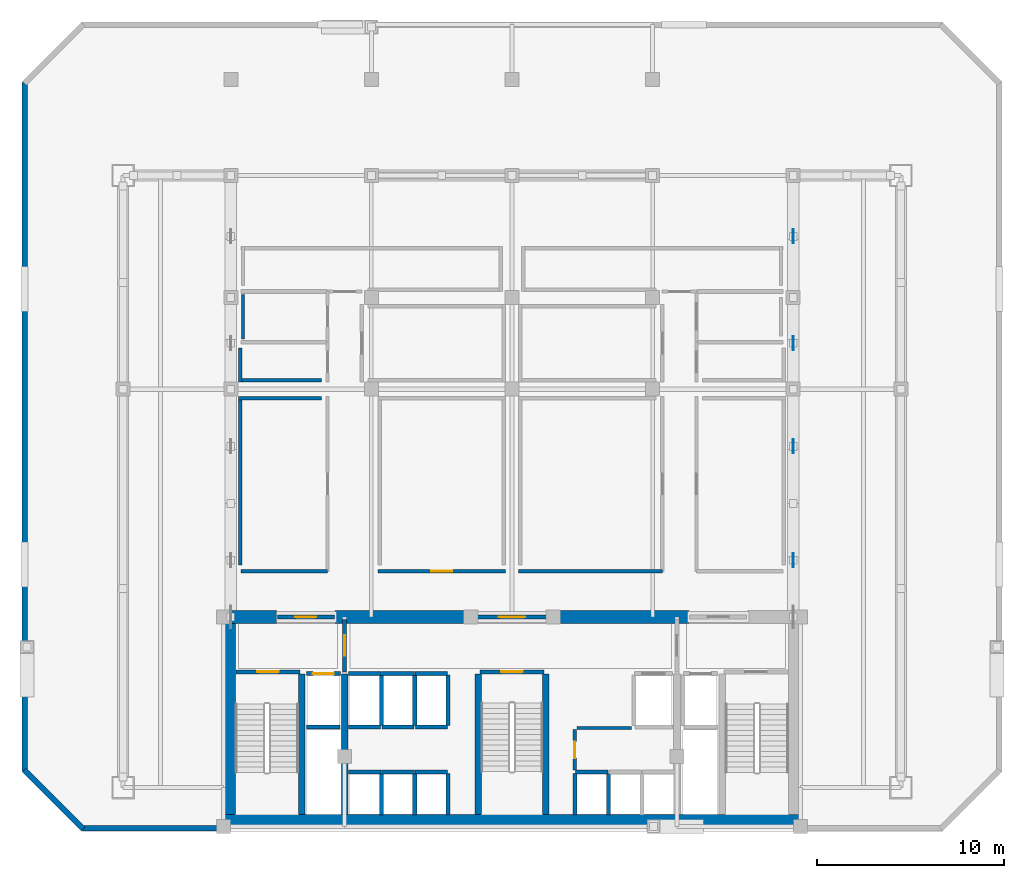
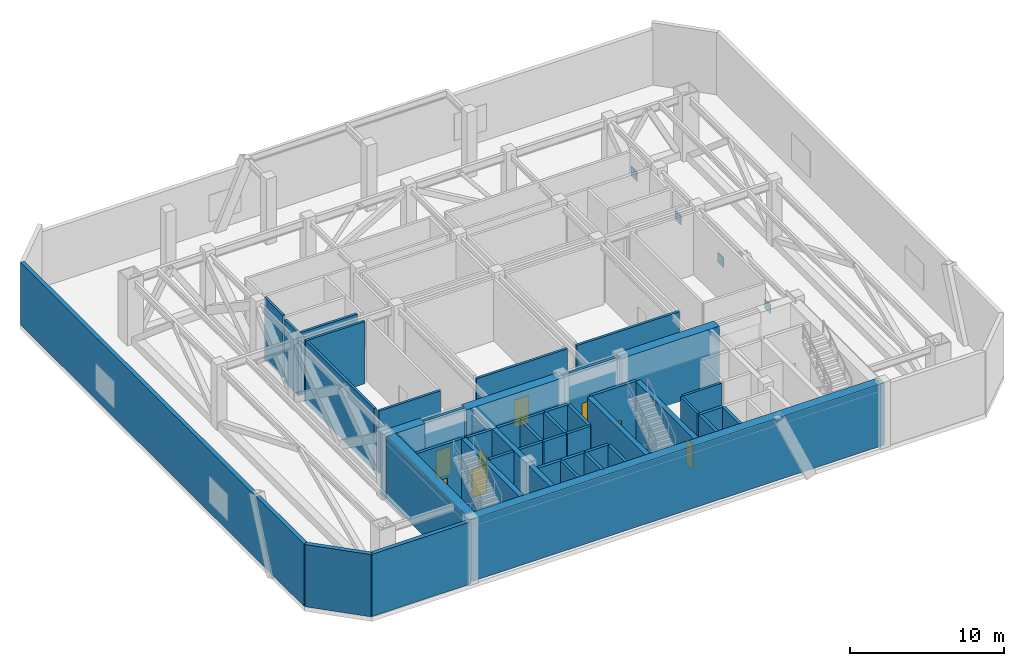
# One storey, part 5 of 10: 47 walls, 8 doors, 4 plates, 8 openings.
"""IFC4 building model written with IfcOpenShell, lengths in metres."""

from ifc_helpers import new_model, si_unit, direction, frame, frame_2d, origin, origin_2d, place, context, subcontext, project, spatial, rectangle, extrude, material, layer, layer_set, type_object, element, fill, save


model = new_model("IFC4")

# Units and contexts
model_context = context("Model", 3, precision=1e-05, world=origin(), true_north=direction((0.0, 1.0)))
body_context = subcontext(model_context, "Body", "Model", "MODEL_VIEW")
ifc_project = project(units=[si_unit("LENGTHUNIT", "METRE"), si_unit("AREAUNIT", "SQUARE_METRE"), si_unit("VOLUMEUNIT", "CUBIC_METRE"), si_unit("PLANEANGLEUNIT", "RADIAN"), si_unit("MASSUNIT", "GRAM", prefix="KILO")], contexts=[model_context])

# Site, building, storey
site_placement = place(None, origin())
site = spatial("IfcSite", under=ifc_project, at=site_placement, CompositionType="ELEMENT")
building_placement = place(site_placement, origin())
building = spatial("IfcBuilding", under=site, at=building_placement, Name="Ventersveld Concourse Tower", CompositionType="ELEMENT")
storey_placement = place(building_placement, frame((0.0, 0.0, 134.949951171875)))
storey = spatial("IfcBuildingStorey", under=building, at=storey_placement, Name="L33", CompositionType="ELEMENT", Elevation=134.949951171875)

# Plates
ifc_material_1 = material(Name="Structural steel S355J2", Category="steel")
ifc_layer_1 = layer(ifc_material_1, 0.0400390625)
ifc_layer_set_1 = layer_set([ifc_layer_1], Name="Structural steel S355J2")
plate_type = type_object("IfcPlateType", Name="PL-GUSSET-40", PredefinedType="USERDEFINED", material=ifc_layer_set_1)
for number, where, z_axis, x_axis, name in (
    (1, (43.75, 14.47509765625, 2.110107421875), (0.0, 0.0, 1.0), (1.0, 0.0, 0.0), "L33 Outrigger X-Crossing Gusset Plate E-1"),
    (2, (43.75, 20.550048828125, 2.110107421875), (0.0, 0.0, 1.0), (1.0, 0.0, 0.0), "L33 Outrigger X-Crossing Gusset Plate E-2"),
    (3, (43.75, 26.050048828125, 2.110107421875), (0.0, 0.0, 1.0), (1.0, 0.0, 0.0), "L33 Outrigger X-Crossing Gusset Plate E-3"),
    (4, (43.75, 31.75, 2.110107421875), (0.0, 0.0, 1.0), (1.0, 0.0, 0.0), "L33 Outrigger X-Crossing Gusset Plate E-4"),
):
    element("IfcPlate", number, at=place(storey_placement, frame(where, z_axis=z_axis, x_axis=x_axis)), inside=storey, type_object=plate_type, Name=name, ObjectType="GUSSET_PLATE", PredefinedType="USERDEFINED", context=body_context, shape_type="SweptSolid", body=[
        extrude(rectangle(XDim=0.0400390625, YDim=0.75, at=origin_2d()), origin(), (0.0, 0.0, 1.0), 0.75),
    ])

# Walls
ifc_material_2 = material(Name="Concrete C60/75", Category="concrete")
ifc_layer_2 = layer(ifc_material_2, 0.35009765625)
ifc_layer_set_2 = layer_set([ifc_layer_2], Name="Concrete C60/75")
wall_type_1 = type_object("IfcWallType", Name="WL-CORE-350L", PredefinedType="SHEAR", material=ifc_layer_set_2)
for number, where, z_axis, x_axis, name in (
    (5, (17.5400390625, 0.919921875, 0.0), (0.0, 0.0, 1.0), (0.0, 1.0, 0.0), "L33 Core Internal Shear Web W-ST1-E"),
    (6, (19.820068359375, 0.919921875, 0.0), (0.0, 0.0, 1.0), (0.0, 1.0, 0.0), "L33 Core Internal Shear Web W-FF1-E"),
    (7, (26.93994140625, 0.919921875, 0.0), (0.0, 0.0, 1.0), (0.0, 1.0, 0.0), "L33 Core Internal Shear Web W-ST3-W"),
    (8, (30.56005859375, 0.919921875, 0.0), (0.0, 0.0, 1.0), (0.0, 1.0, 0.0), "L33 Core Internal Shear Web W-ST3-E"),
):
    element("IfcWall", number, at=place(storey_placement, frame(where, z_axis=z_axis, x_axis=x_axis)), inside=storey, type_object=wall_type_1, Name=name, PredefinedType="SHEAR", context=body_context, shape_type="SweptSolid", body=[
        extrude(rectangle(XDim=7.5, YDim=0.35009765625, at=frame_2d((3.75, 0.0))), origin(), (0.0, 0.0, 1.0), 4.920166015625),
    ])
ifc_layer_3 = layer(ifc_material_2, 0.699951171875)
ifc_layer_set_3 = layer_set([ifc_layer_3], Name="Concrete C60/75")
wall_type_2 = type_object("IfcWallType", Name="WL-CORE-700", PredefinedType="SHEAR", material=ifc_layer_set_3)
wall_1_placement = place(storey_placement, frame((13.25, 0.570068359375, 0.0), z_axis=(0.0, 0.0, 1.0), x_axis=(1.0, 0.0, 0.0)))
element("IfcWall", 9, at=wall_1_placement, inside=storey, type_object=wall_type_2, Name="L33 Rear Core South Shear Wall", PredefinedType="SHEAR", context=body_context, shape_type="SweptSolid", body=[
    extrude(rectangle(XDim=31.0, YDim=0.699951171875, at=frame_2d((15.5, 0.0))), origin(), (0.0, 0.0, 1.0), 4.920166015625),
])
wall_2_placement = place(storey_placement, frame((13.64990234375, 0.919921875, 0.0), z_axis=(0.0, 0.0, 1.0), x_axis=(0.0, 1.0, 0.0)))
element("IfcWall", 10, at=wall_2_placement, inside=storey, type_object=wall_type_2, Name="L33 Rear Core West Shear Wall", PredefinedType="SHEAR", context=body_context, shape_type="SweptSolid", body=[
    extrude(rectangle(XDim=10.530029296875, YDim=0.699951171875, at=frame_2d((5.26513671875, 0.0))), origin(), (0.0, 0.0, 1.0), 4.920166015625),
])
wall_3_placement = place(storey_placement, frame((13.25, 11.449951171875, 0.0), z_axis=(0.0, 0.0, 1.0), x_axis=(1.0, 0.0, 0.0)))
element("IfcWall", 11, at=wall_3_placement, inside=storey, type_object=wall_type_2, Name="L33 Rear Core North Shear Wall NW", PredefinedType="SHEAR", context=body_context, shape_type="SweptSolid", body=[
    extrude(rectangle(XDim=2.949951171875, YDim=0.699951171875, at=frame_2d((1.47509765625, 0.0))), origin(), (0.0, 0.0, 1.0), 4.920166015625),
])
for number, where, z_axis, x_axis, name in (
    (12, (19.300048828125, 11.449951171875, 0.0), (0.0, 0.0, 1.0), (1.0, 0.0, 0.0), "L33 Rear Core North Shear Wall NML"),
    (13, (30.89990234375, 11.449951171875, 0.0), (0.0, 0.0, 1.0), (1.0, 0.0, 0.0), "L33 Rear Core North Shear Wall NMR"),
):
    element("IfcWall", number, at=place(storey_placement, frame(where, z_axis=z_axis, x_axis=x_axis)), inside=storey, type_object=wall_type_2, Name=name, PredefinedType="SHEAR", context=body_context, shape_type="SweptSolid", body=[
        extrude(rectangle(XDim=7.300048828125, YDim=0.699951171875, at=frame_2d((3.64990234375, 0.0))), origin(), (0.0, 0.0, 1.0), 4.920166015625),
    ])

# Wall, opening, door
ifc_material_3 = material(Name="Fire-rated autoclaved aerated masonry blockwork", Category="masonry")
ifc_layer_4 = layer(ifc_material_3, 0.179931640625)
ifc_layer_set_4 = layer_set([ifc_layer_4], Name="Fire-rated autoclaved aerated masonry blockwork")
wall_type_3 = type_object("IfcWallType", Name="WL-CORR-180", PredefinedType="PARTITIONING", material=ifc_layer_set_4)
wall_4_placement = place(storey_placement, frame((32.10009765625, 3.280029296875, 0.0), z_axis=(0.0, 0.0, 1.0), x_axis=(0.0, 1.0, 0.0)))
wall_4 = element("IfcWall", 14, at=wall_4_placement, inside=storey, type_object=wall_type_3, Name="L33 Core Passage Wall SP-L33-CBAY2", PredefinedType="PARTITIONING", context=body_context, shape_type="SweptSolid", body=[
    extrude(rectangle(XDim=2.169921875, YDim=0.179931640625, at=frame_2d((1.0849609375, 0.0))), origin(), (0.0, 0.0, 1.0), 4.920166015625),
])
opening_1_placement = place(wall_4_placement, frame((0.64501953125, 0.0, 0.0)))
opening_1 = element("IfcOpeningElement", 15, at=opening_1_placement, cuts=wall_4, Name="Opening FD5", PredefinedType="OPENING", context=body_context, shape_type="SweptSolid", body=[
    extrude(rectangle(XDim=0.8798828125, YDim=2.050048828125, at=frame_2d((0.43994140625, 1.02490234375))), frame((0.0, 0.10009765625, 0.0), z_axis=(0.0, -1.0, 0.0), x_axis=(1.0, 0.0, 0.0)), (0.0, 0.0, 1.0), 0.199951171875),
])
ifc_material_4 = material(Name="Galvanised painted steel", Category="steel")
door_type_1 = type_object("IfcDoorType", Name="DR-RISER-088", OperationType="NOTDEFINED", PredefinedType="DOOR", material=ifc_material_4)
door_1_placement = place(opening_1_placement, origin())
door_1 = element("IfcDoor", 16, at=door_1_placement, inside=storey, type_object=door_type_1, Name="L33 Core Room Door L33 Core Parcel and Mail Store (CD-L33-1642)", OperationType="SINGLE_SWING_LEFT", OverallHeight=2.050048828125, OverallWidth=0.8798828125, PredefinedType="DOOR", context=body_context, shape_type="SweptSolid", body=[
    extrude(rectangle(XDim=0.8798828125, YDim=2.050048828125, at=frame_2d((0.43994140625, 1.02490234375))), frame((0.0, 0.02490234375, 0.0), z_axis=(0.0, -1.0, 0.0), x_axis=(1.0, 0.0, 0.0)), (0.0, 0.0, 1.0), 0.050048828125),
])
fill(opening_1, door_1)

# Walls
wall_5_placement = place(storey_placement, frame((32.219970703125, 5.530029296875, 0.0), z_axis=(0.0, 0.0, 1.0), x_axis=(1.0, 0.0, 0.0)))
element("IfcWall", 17, at=wall_5_placement, inside=storey, type_object=wall_type_3, Name="L33 Core Top Wall SP-L33-CBAY2", PredefinedType="PARTITIONING", context=body_context, shape_type="SweptSolid", body=[
    extrude(rectangle(XDim=2.900146484375, YDim=0.179931640625, at=frame_2d((1.4501953125, 0.0))), origin(), (0.0, 0.0, 1.0), 4.920166015625),
])
wall_6_placement = place(storey_placement, frame((14.304931640625, 13.889892578125, 0.0), z_axis=(0.0, 0.0, 1.0), x_axis=(1.0, 0.0, 0.0)))
element("IfcWall", 18, at=wall_6_placement, inside=storey, type_object=wall_type_3, Name="L33 Interior Partition SP-L33-PCOR-SP-L33-REF-1", PredefinedType="PARTITIONING", context=body_context, shape_type="SweptSolid", body=[
    extrude(rectangle(XDim=4.610107421875, YDim=0.179931640625, at=frame_2d((2.30517578125, 0.0))), origin(), (0.0, 0.0, 1.0), 4.920166015625),
])

# Wall, opening, door
wall_7_placement = place(storey_placement, frame((21.60498046875, 13.889892578125, 0.0), z_axis=(0.0, 0.0, 1.0), x_axis=(1.0, 0.0, 0.0)))
wall_7 = element("IfcWall", 19, at=wall_7_placement, inside=storey, type_object=wall_type_3, Name="L33 Interior Partition SP-L33-PCOR-SP-L33-REF-2", PredefinedType="PARTITIONING", context=body_context, shape_type="SweptSolid", body=[
    extrude(rectangle(XDim=6.7900390625, YDim=0.179931640625, at=frame_2d((3.39501953125, 0.0))), origin(), (0.0, 0.0, 1.0), 4.920166015625),
])
opening_2_placement = place(wall_7_placement, frame((2.844970703125, 0.0, 0.0)))
opening_2 = element("IfcOpeningElement", 20, at=opening_2_placement, cuts=wall_7, Name="Opening FD2", PredefinedType="OPENING", context=body_context, shape_type="SweptSolid", body=[
    extrude(rectangle(XDim=1.10009765625, YDim=2.199951171875, at=frame_2d((0.550048828125, 1.10009765625))), frame((0.0, 0.10009765625, 0.0), z_axis=(0.0, -1.0, 0.0), x_axis=(1.0, 0.0, 0.0)), (0.0, 0.0, 1.0), 0.199951171875),
])
door_type_2 = type_object("IfcDoorType", Name="DR-FFL-110", OperationType="NOTDEFINED", PredefinedType="DOOR", material=ifc_material_4)
door_2_placement = place(opening_2_placement, origin())
door_2 = element("IfcDoor", 21, at=door_2_placement, inside=storey, type_object=door_type_2, Name="L33 Interior Door SP-L33-PCOR to SP-L33-REF-2 (FD-L33-1644)", OperationType="SINGLE_SWING_RIGHT", OverallHeight=2.199951171875, OverallWidth=1.10009765625, PredefinedType="DOOR", context=body_context, shape_type="SweptSolid", body=[
    extrude(rectangle(XDim=1.10009765625, YDim=2.199951171875, at=frame_2d((0.550048828125, 1.10009765625))), frame((0.0, 0.02490234375, 0.0), z_axis=(0.0, -1.0, 0.0), x_axis=(1.0, 0.0, 0.0)), (0.0, 0.0, 1.0), 0.050048828125),
])
fill(opening_2, door_2)

# Walls
wall_8_placement = place(storey_placement, frame((29.10498046875, 13.889892578125, 0.0), z_axis=(0.0, 0.0, 1.0), x_axis=(1.0, 0.0, 0.0)))
element("IfcWall", 22, at=wall_8_placement, inside=storey, type_object=wall_type_3, Name="L33 Interior Partition SP-L33-PCOR-SP-L33-REF-3", PredefinedType="PARTITIONING", context=body_context, shape_type="SweptSolid", body=[
    extrude(rectangle(XDim=7.659912109375, YDim=0.179931640625, at=frame_2d((3.830078125, 0.0))), origin(), (0.0, 0.0, 1.0), 4.920166015625),
])
wall_9_placement = place(storey_placement, frame((18.5849609375, 23.1201171875, 0.0), z_axis=(0.0, 0.0, 1.0), x_axis=(-1.0, 0.0, 0.0)))
element("IfcWall", 23, at=wall_9_placement, inside=storey, type_object=wall_type_3, Name="L33 Room Enclosure Wall SP-L33-REF-1", PredefinedType="PARTITIONING", context=body_context, shape_type="SweptSolid", body=[
    extrude(rectangle(XDim=4.429931640625, YDim=0.179931640625, at=frame_2d((2.21484375, 0.0))), origin(), (0.0, 0.0, 1.0), 4.920166015625),
])
wall_10_placement = place(storey_placement, frame((14.25, 23.215087890625, 0.0), z_axis=(0.0, 0.0, 1.0), x_axis=(0.0, -1.0, 0.0)))
element("IfcWall", 24, at=wall_10_placement, inside=storey, type_object=wall_type_3, Name="L33 Room Enclosure Wall SP-L33-REF-1", PredefinedType="PARTITIONING", context=body_context, shape_type="SweptSolid", body=[
    extrude(rectangle(XDim=9.004150390625, YDim=0.179931640625, at=frame_2d((4.501953125, 0.0))), origin(), (0.0, 0.0, 1.0), 4.920166015625),
])
wall_11_placement = place(storey_placement, frame((14.155029296875, 24.080078125, 0.0), z_axis=(0.0, 0.0, 1.0), x_axis=(1.0, 0.0, 0.0)))
element("IfcWall", 25, at=wall_11_placement, inside=storey, type_object=wall_type_3, Name="L33 Room Enclosure Wall SP-L33-REF-9", PredefinedType="PARTITIONING", context=body_context, shape_type="SweptSolid", body=[
    extrude(rectangle(XDim=4.429931640625, YDim=0.179931640625, at=frame_2d((2.21484375, 0.0))), origin(), (0.0, 0.0, 1.0), 4.920166015625),
])
wall_12_placement = place(storey_placement, frame((14.25, 25.7890625, 0.0), z_axis=(0.0, 0.0, 1.0), x_axis=(0.0, -1.0, 0.0)))
element("IfcWall", 26, at=wall_12_placement, inside=storey, type_object=wall_type_3, Name="L33 Room Enclosure Wall SP-L33-REF-9", PredefinedType="PARTITIONING", context=body_context, shape_type="SweptSolid", body=[
    extrude(rectangle(XDim=1.803955078125, YDim=0.179931640625, at=frame_2d((0.90185546875, 0.0))), origin(), (0.0, 0.0, 1.0), 4.920166015625),
])
ifc_layer_5 = layer(ifc_material_3, 0.219970703125)
ifc_layer_set_5 = layer_set([ifc_layer_5], Name="Fire-rated autoclaved aerated masonry blockwork")
wall_type_4 = type_object("IfcWallType", Name="WL-HOIST-220", PredefinedType="SOLIDWALL", material=ifc_layer_set_5)
wall_13_placement = place(storey_placement, frame((17.800048828125, 5.590087890625, 0.0), z_axis=(0.0, 0.0, 1.0), x_axis=(1.0, 0.0, 0.0)))
element("IfcWall", 27, at=wall_13_placement, inside=storey, type_object=wall_type_4, Name="L33 Lift Hoistway Back Wall FFL-01", PredefinedType="SOLIDWALL", context=body_context, shape_type="SweptSolid", body=[
    extrude(rectangle(XDim=1.780029296875, YDim=0.219970703125, at=frame_2d((0.89013671875, 0.0))), origin(), (0.0, 0.0, 1.0), 4.920166015625),
])

# Wall, opening, door
wall_14_placement = place(storey_placement, frame((17.780029296875, 8.429931640625, 0.0), z_axis=(0.0, 0.0, 1.0), x_axis=(1.0, 0.0, 0.0)))
wall_14 = element("IfcWall", 28, at=wall_14_placement, inside=storey, type_object=wall_type_4, Name="L33 Lift Hoistway Front Wall FFL-01", PredefinedType="SOLIDWALL", context=body_context, shape_type="SweptSolid", body=[
    extrude(rectangle(XDim=1.820068359375, YDim=0.219970703125, at=frame_2d((0.91015625, 0.0))), origin(), (0.0, 0.0, 1.0), 4.920166015625),
])
opening_3_placement = place(wall_14_placement, frame((0.35009765625, 0.0, 0.0)))
opening_3 = element("IfcOpeningElement", 29, at=opening_3_placement, cuts=wall_14, Name="Opening LD1", PredefinedType="OPENING", context=body_context, shape_type="SweptSolid", body=[
    extrude(rectangle(XDim=1.1201171875, YDim=2.25, at=frame_2d((0.56005859375, 1.125))), frame((0.0, 0.1201171875, 0.0), z_axis=(0.0, -1.0, 0.0), x_axis=(1.0, 0.0, 0.0)), (0.0, 0.0, 1.0), 0.239990234375),
])
ifc_material_5 = material(Name="Brushed stainless steel 316", Category="steel")
door_type_3 = type_object("IfcDoorType", Name="LD-FF-112", OperationType="SLIDING_TO_LEFT", PredefinedType="DOOR", material=ifc_material_5)
door_3_placement = place(opening_3_placement, origin())
door_3 = element("IfcDoor", 30, at=door_3_placement, inside=storey, type_object=door_type_3, Name="L33 Lift landing door FFL-01 (LD-L33-FFL-01)", OperationType="SLIDING_TO_LEFT", OverallHeight=2.25, OverallWidth=1.1201171875, PredefinedType="DOOR", context=body_context, shape_type="SweptSolid", body=[
    extrude(rectangle(XDim=1.1201171875, YDim=2.25, at=frame_2d((0.56005859375, 1.125))), frame((0.0, 0.02490234375, 0.0), z_axis=(0.0, -1.0, 0.0), x_axis=(1.0, 0.0, 0.0)), (0.0, 0.0, 1.0), 0.050048828125),
])
fill(opening_3, door_3)

# Walls
wall_15_placement = place(storey_placement, frame((21.780029296875, 0.89990234375, 0.0), z_axis=(0.0, 0.0, 1.0), x_axis=(0.0, 1.0, 0.0)))
element("IfcWall", 31, at=wall_15_placement, inside=storey, type_object=wall_type_4, Name="L33 Lift Hoistway Side Wall PL-01E", PredefinedType="SOLIDWALL", context=body_context, shape_type="SweptSolid", body=[
    extrude(rectangle(XDim=2.2001953125, YDim=0.219970703125, at=frame_2d((1.10009765625, 0.0))), origin(), (0.0, 0.0, 1.0), 4.920166015625),
])
wall_16_placement = place(storey_placement, frame((20.02001953125, 3.179931640625, 0.0), z_axis=(0.0, 0.0, 1.0), x_axis=(1.0, 0.0, 0.0)))
element("IfcWall", 32, at=wall_16_placement, inside=storey, type_object=wall_type_4, Name="L33 Lift Hoistway Front Wall PL-01", PredefinedType="SOLIDWALL", context=body_context, shape_type="SweptSolid", body=[
    extrude(rectangle(XDim=1.739990234375, YDim=0.219970703125, at=frame_2d((0.8701171875, 0.0))), origin(), (0.0, 0.0, 1.0), 4.920166015625),
])
wall_17_placement = place(storey_placement, frame((23.56005859375, 0.89990234375, 0.0), z_axis=(0.0, 0.0, 1.0), x_axis=(0.0, 1.0, 0.0)))
element("IfcWall", 33, at=wall_17_placement, inside=storey, type_object=wall_type_4, Name="L33 Lift Hoistway Side Wall PL-02E", PredefinedType="SOLIDWALL", context=body_context, shape_type="SweptSolid", body=[
    extrude(rectangle(XDim=2.2001953125, YDim=0.219970703125, at=frame_2d((1.10009765625, 0.0))), origin(), (0.0, 0.0, 1.0), 4.920166015625),
])
wall_18_placement = place(storey_placement, frame((21.800048828125, 3.179931640625, 0.0), z_axis=(0.0, 0.0, 1.0), x_axis=(1.0, 0.0, 0.0)))
element("IfcWall", 34, at=wall_18_placement, inside=storey, type_object=wall_type_4, Name="L33 Lift Hoistway Front Wall PL-02", PredefinedType="SOLIDWALL", context=body_context, shape_type="SweptSolid", body=[
    extrude(rectangle(XDim=1.739990234375, YDim=0.219970703125, at=frame_2d((0.8701171875, 0.0))), origin(), (0.0, 0.0, 1.0), 4.920166015625),
])
wall_19_placement = place(storey_placement, frame((25.340087890625, 0.89990234375, 0.0), z_axis=(0.0, 0.0, 1.0), x_axis=(0.0, 1.0, 0.0)))
element("IfcWall", 35, at=wall_19_placement, inside=storey, type_object=wall_type_4, Name="L33 Lift Hoistway Side Wall PL-03E", PredefinedType="SOLIDWALL", context=body_context, shape_type="SweptSolid", body=[
    extrude(rectangle(XDim=2.2001953125, YDim=0.219970703125, at=frame_2d((1.10009765625, 0.0))), origin(), (0.0, 0.0, 1.0), 4.920166015625),
])
wall_20_placement = place(storey_placement, frame((23.580078125, 3.179931640625, 0.0), z_axis=(0.0, 0.0, 1.0), x_axis=(1.0, 0.0, 0.0)))
element("IfcWall", 36, at=wall_20_placement, inside=storey, type_object=wall_type_4, Name="L33 Lift Hoistway Front Wall PL-03", PredefinedType="SOLIDWALL", context=body_context, shape_type="SweptSolid", body=[
    extrude(rectangle(XDim=1.739990234375, YDim=0.219970703125, at=frame_2d((0.8701171875, 0.0))), origin(), (0.0, 0.0, 1.0), 4.920166015625),
])
for number, where, z_axis, x_axis, name in (
    (37, (32.1201171875, 0.89990234375, 0.0), (0.0, 0.0, 1.0), (0.0, 1.0, 0.0), "L33 Lift Hoistway Side Wall PM-01W"),
    (38, (33.89990234375, 0.89990234375, 0.0), (0.0, 0.0, 1.0), (0.0, 1.0, 0.0), "L33 Lift Hoistway Side Wall PM-01E"),
):
    element("IfcWall", number, at=place(storey_placement, frame(where, z_axis=z_axis, x_axis=x_axis)), inside=storey, type_object=wall_type_4, Name=name, PredefinedType="SOLIDWALL", context=body_context, shape_type="SweptSolid", body=[
        extrude(rectangle(XDim=2.2001953125, YDim=0.219970703125, at=frame_2d((1.10009765625, 0.0))), origin(), (0.0, 0.0, 1.0), 4.920166015625),
    ])
wall_21_placement = place(storey_placement, frame((32.139892578125, 3.179931640625, 0.0), z_axis=(0.0, 0.0, 1.0), x_axis=(1.0, 0.0, 0.0)))
element("IfcWall", 39, at=wall_21_placement, inside=storey, type_object=wall_type_4, Name="L33 Lift Hoistway Front Wall PM-01", PredefinedType="SOLIDWALL", context=body_context, shape_type="SweptSolid", body=[
    extrude(rectangle(XDim=1.739990234375, YDim=0.219970703125, at=frame_2d((0.8701171875, 0.0))), origin(), (0.0, 0.0, 1.0), 4.920166015625),
])
wall_22_placement = place(storey_placement, frame((20.0400390625, 5.590087890625, 0.0), z_axis=(0.0, 0.0, 1.0), x_axis=(1.0, 0.0, 0.0)))
element("IfcWall", 40, at=wall_22_placement, inside=storey, type_object=wall_type_4, Name="L33 Lift Hoistway Back Wall PH-01", PredefinedType="SOLIDWALL", context=body_context, shape_type="SweptSolid", body=[
    extrude(rectangle(XDim=1.699951171875, YDim=0.219970703125, at=frame_2d((0.85009765625, 0.0))), origin(), (0.0, 0.0, 1.0), 4.920166015625),
])
wall_23_placement = place(storey_placement, frame((21.780029296875, 5.64990234375, 0.0), z_axis=(0.0, 0.0, 1.0), x_axis=(0.0, 1.0, 0.0)))
element("IfcWall", 41, at=wall_23_placement, inside=storey, type_object=wall_type_4, Name="L33 Lift Hoistway Side Wall PH-01E", PredefinedType="SOLIDWALL", context=body_context, shape_type="SweptSolid", body=[
    extrude(rectangle(XDim=2.7001953125, YDim=0.219970703125, at=frame_2d((1.35009765625, 0.0))), origin(), (0.0, 0.0, 1.0), 4.920166015625),
])
wall_24_placement = place(storey_placement, frame((20.02001953125, 8.429931640625, 0.0), z_axis=(0.0, 0.0, 1.0), x_axis=(1.0, 0.0, 0.0)))
element("IfcWall", 42, at=wall_24_placement, inside=storey, type_object=wall_type_4, Name="L33 Lift Hoistway Front Wall PH-01", PredefinedType="SOLIDWALL", context=body_context, shape_type="SweptSolid", body=[
    extrude(rectangle(XDim=1.739990234375, YDim=0.219970703125, at=frame_2d((0.8701171875, 0.0))), origin(), (0.0, 0.0, 1.0), 4.920166015625),
])
wall_25_placement = place(storey_placement, frame((21.820068359375, 5.590087890625, 0.0), z_axis=(0.0, 0.0, 1.0), x_axis=(1.0, 0.0, 0.0)))
element("IfcWall", 43, at=wall_25_placement, inside=storey, type_object=wall_type_4, Name="L33 Lift Hoistway Back Wall PH-02", PredefinedType="SOLIDWALL", context=body_context, shape_type="SweptSolid", body=[
    extrude(rectangle(XDim=1.699951171875, YDim=0.219970703125, at=frame_2d((0.85009765625, 0.0))), origin(), (0.0, 0.0, 1.0), 4.920166015625),
])
wall_26_placement = place(storey_placement, frame((23.56005859375, 5.64990234375, 0.0), z_axis=(0.0, 0.0, 1.0), x_axis=(0.0, 1.0, 0.0)))
element("IfcWall", 44, at=wall_26_placement, inside=storey, type_object=wall_type_4, Name="L33 Lift Hoistway Side Wall PH-02E", PredefinedType="SOLIDWALL", context=body_context, shape_type="SweptSolid", body=[
    extrude(rectangle(XDim=2.7001953125, YDim=0.219970703125, at=frame_2d((1.35009765625, 0.0))), origin(), (0.0, 0.0, 1.0), 4.920166015625),
])
wall_27_placement = place(storey_placement, frame((21.800048828125, 8.429931640625, 0.0), z_axis=(0.0, 0.0, 1.0), x_axis=(1.0, 0.0, 0.0)))
element("IfcWall", 45, at=wall_27_placement, inside=storey, type_object=wall_type_4, Name="L33 Lift Hoistway Front Wall PH-02", PredefinedType="SOLIDWALL", context=body_context, shape_type="SweptSolid", body=[
    extrude(rectangle(XDim=1.739990234375, YDim=0.219970703125, at=frame_2d((0.8701171875, 0.0))), origin(), (0.0, 0.0, 1.0), 4.920166015625),
])
wall_28_placement = place(storey_placement, frame((23.60009765625, 5.590087890625, 0.0), z_axis=(0.0, 0.0, 1.0), x_axis=(1.0, 0.0, 0.0)))
element("IfcWall", 46, at=wall_28_placement, inside=storey, type_object=wall_type_4, Name="L33 Lift Hoistway Back Wall PH-03", PredefinedType="SOLIDWALL", context=body_context, shape_type="SweptSolid", body=[
    extrude(rectangle(XDim=1.699951171875, YDim=0.219970703125, at=frame_2d((0.85009765625, 0.0))), origin(), (0.0, 0.0, 1.0), 4.920166015625),
])
wall_29_placement = place(storey_placement, frame((25.340087890625, 5.64990234375, 0.0), z_axis=(0.0, 0.0, 1.0), x_axis=(0.0, 1.0, 0.0)))
element("IfcWall", 47, at=wall_29_placement, inside=storey, type_object=wall_type_4, Name="L33 Lift Hoistway Side Wall PH-03E", PredefinedType="SOLIDWALL", context=body_context, shape_type="SweptSolid", body=[
    extrude(rectangle(XDim=2.7001953125, YDim=0.219970703125, at=frame_2d((1.35009765625, 0.0))), origin(), (0.0, 0.0, 1.0), 4.920166015625),
])
wall_30_placement = place(storey_placement, frame((23.580078125, 8.429931640625, 0.0), z_axis=(0.0, 0.0, 1.0), x_axis=(1.0, 0.0, 0.0)))
element("IfcWall", 48, at=wall_30_placement, inside=storey, type_object=wall_type_4, Name="L33 Lift Hoistway Front Wall PH-03", PredefinedType="SOLIDWALL", context=body_context, shape_type="SweptSolid", body=[
    extrude(rectangle(XDim=1.739990234375, YDim=0.219970703125, at=frame_2d((0.8701171875, 0.0))), origin(), (0.0, 0.0, 1.0), 4.920166015625),
])

# Wall, opening, door
wall_31_placement = place(storey_placement, frame((14.0400390625, 8.52001953125, 0.0), z_axis=(0.0, 0.0, 1.0), x_axis=(1.0, 0.0, 0.0)))
wall_31 = element("IfcWall", 49, at=wall_31_placement, inside=storey, type_object=wall_type_4, Name="L33 Escape Stair ST01 Fire Wall", PredefinedType="SOLIDWALL", context=body_context, shape_type="SweptSolid", body=[
    extrude(rectangle(XDim=3.39990234375, YDim=0.219970703125, at=frame_2d((1.699951171875, 0.0))), origin(), (0.0, 0.0, 1.0), 4.920166015625),
])
opening_4_placement = place(wall_31_placement, frame((1.125, 0.0, 0.0)))
opening_4 = element("IfcOpeningElement", 50, at=opening_4_placement, cuts=wall_31, Name="Opening FD1", PredefinedType="OPENING", context=body_context, shape_type="SweptSolid", body=[
    extrude(rectangle(XDim=1.14990234375, YDim=2.199951171875, at=frame_2d((0.574951171875, 1.10009765625))), frame((0.0, 0.1201171875, 0.0), z_axis=(0.0, -1.0, 0.0), x_axis=(1.0, 0.0, 0.0)), (0.0, 0.0, 1.0), 0.239990234375),
])
door_type_4 = type_object("IfcDoorType", Name="DR-STAIR-115", OperationType="NOTDEFINED", PredefinedType="DOOR", material=ifc_material_4)
door_4_placement = place(opening_4_placement, origin())
door_4 = element("IfcDoor", 51, at=door_4_placement, inside=storey, type_object=door_type_4, Name="L33 Escape Stair Door ST01 (SD-L33-1634)", OperationType="SINGLE_SWING_LEFT", OverallHeight=2.199951171875, OverallWidth=1.14990234375, PredefinedType="DOOR", context=body_context, shape_type="SweptSolid", body=[
    extrude(rectangle(XDim=1.14990234375, YDim=2.199951171875, at=frame_2d((0.574951171875, 1.10009765625))), frame((0.0, 0.02490234375, 0.0), z_axis=(0.0, -1.0, 0.0), x_axis=(1.0, 0.0, 0.0)), (0.0, 0.0, 1.0), 0.050048828125),
])
fill(opening_4, door_4)

wall_32_placement = place(storey_placement, frame((27.0400390625, 8.52001953125, 0.0), z_axis=(0.0, 0.0, 1.0), x_axis=(1.0, 0.0, 0.0)))
wall_32 = element("IfcWall", 52, at=wall_32_placement, inside=storey, type_object=wall_type_4, Name="L33 Escape Stair ST03 Fire Wall", PredefinedType="SOLIDWALL", context=body_context, shape_type="SweptSolid", body=[
    extrude(rectangle(XDim=3.419921875, YDim=0.219970703125, at=frame_2d((1.7099609375, 0.0))), origin(), (0.0, 0.0, 1.0), 4.920166015625),
])
opening_5_placement = place(wall_32_placement, frame((1.135009765625, 0.0, 0.0)))
opening_5 = element("IfcOpeningElement", 53, at=opening_5_placement, cuts=wall_32, Name="Opening FD1", PredefinedType="OPENING", context=body_context, shape_type="SweptSolid", body=[
    extrude(rectangle(XDim=1.14990234375, YDim=2.199951171875, at=frame_2d((0.574951171875, 1.10009765625))), frame((0.0, 0.1201171875, 0.0), z_axis=(0.0, -1.0, 0.0), x_axis=(1.0, 0.0, 0.0)), (0.0, 0.0, 1.0), 0.239990234375),
])
door_5_placement = place(opening_5_placement, origin())
door_5 = element("IfcDoor", 54, at=door_5_placement, inside=storey, type_object=door_type_4, Name="L33 Escape Stair Door ST03 (SD-L33-1636)", OperationType="SINGLE_SWING_LEFT", OverallHeight=2.199951171875, OverallWidth=1.14990234375, PredefinedType="DOOR", context=body_context, shape_type="SweptSolid", body=[
    extrude(rectangle(XDim=1.14990234375, YDim=2.199951171875, at=frame_2d((0.574951171875, 1.10009765625))), frame((0.0, 0.02490234375, 0.0), z_axis=(0.0, -1.0, 0.0), x_axis=(1.0, 0.0, 0.0)), (0.0, 0.0, 1.0), 0.050048828125),
])
fill(opening_5, door_5)

wall_33_placement = place(storey_placement, frame((19.820068359375, 8.52001953125, 0.0), z_axis=(0.0, 0.0, 1.0), x_axis=(0.0, 1.0, 0.0)))
wall_33 = element("IfcWall", 55, at=wall_33_placement, inside=storey, type_object=wall_type_4, Name="L33 Firefighting Lobby Smoke-Stop Wall FFLW-SEP", PredefinedType="SOLIDWALL", context=body_context, shape_type="SweptSolid", body=[
    extrude(rectangle(XDim=2.800048828125, YDim=0.219970703125, at=frame_2d((1.39990234375, 0.0))), origin(), (0.0, 0.0, 1.0), 4.37548828125),
])
opening_6_placement = place(wall_33_placement, frame((0.85009765625, 0.0, 0.0)))
opening_6 = element("IfcOpeningElement", 56, at=opening_6_placement, cuts=wall_33, Name="Opening FD2", PredefinedType="OPENING", context=body_context, shape_type="SweptSolid", body=[
    extrude(rectangle(XDim=1.10009765625, YDim=2.199951171875, at=frame_2d((0.550048828125, 1.10009765625))), frame((0.0, 0.1201171875, 0.0), z_axis=(0.0, -1.0, 0.0), x_axis=(1.0, 0.0, 0.0)), (0.0, 0.0, 1.0), 0.239990234375),
])
door_6_placement = place(opening_6_placement, origin())
door_6 = element("IfcDoor", 57, at=door_6_placement, inside=storey, type_object=door_type_2, Name="L33 Firefighting Lobby Door FFLW-SEP (FD-L33-1637)", OperationType="SINGLE_SWING_LEFT", OverallHeight=2.199951171875, OverallWidth=1.10009765625, PredefinedType="DOOR", context=body_context, shape_type="SweptSolid", body=[
    extrude(rectangle(XDim=1.10009765625, YDim=2.199951171875, at=frame_2d((0.550048828125, 1.10009765625))), frame((0.0, 0.02490234375, 0.0), z_axis=(0.0, -1.0, 0.0), x_axis=(1.0, 0.0, 0.0)), (0.0, 0.0, 1.0), 0.050048828125),
])
fill(opening_6, door_6)

wall_34_placement = place(storey_placement, frame((16.22998046875, 11.449951171875, 0.0), z_axis=(0.0, 0.0, 1.0), x_axis=(1.0, 0.0, 0.0)))
wall_34 = element("IfcWall", 58, at=wall_34_placement, inside=storey, type_object=wall_type_4, Name="L33 Core North Fire Portal FFLW-OUT", PredefinedType="SOLIDWALL", context=body_context, shape_type="SweptSolid", body=[
    extrude(rectangle(XDim=3.0400390625, YDim=0.219970703125, at=frame_2d((1.52001953125, 0.0))), origin(), (0.0, 0.0, 1.0), 4.920166015625),
])
opening_7_placement = place(wall_34_placement, frame((0.969970703125, 0.0, 0.0)))
opening_7 = element("IfcOpeningElement", 59, at=opening_7_placement, cuts=wall_34, Name="Opening FD2", PredefinedType="OPENING", context=body_context, shape_type="SweptSolid", body=[
    extrude(rectangle(XDim=1.10009765625, YDim=2.199951171875, at=frame_2d((0.550048828125, 1.10009765625))), frame((0.0, 0.1201171875, 0.0), z_axis=(0.0, -1.0, 0.0), x_axis=(1.0, 0.0, 0.0)), (0.0, 0.0, 1.0), 0.239990234375),
])
door_7_placement = place(opening_7_placement, origin())
door_7 = element("IfcDoor", 60, at=door_7_placement, inside=storey, type_object=door_type_2, Name="L33 Refuge Area Entry Door (FD-L33-1639)", OperationType="SINGLE_SWING_RIGHT", OverallHeight=2.199951171875, OverallWidth=1.10009765625, PredefinedType="DOOR", context=body_context, shape_type="SweptSolid", body=[
    extrude(rectangle(XDim=1.10009765625, YDim=2.199951171875, at=frame_2d((0.550048828125, 1.10009765625))), frame((0.0, 0.02490234375, 0.0), z_axis=(0.0, -1.0, 0.0), x_axis=(1.0, 0.0, 0.0)), (0.0, 0.0, 1.0), 0.050048828125),
])
fill(opening_7, door_7)

wall_35_placement = place(storey_placement, frame((26.6298828125, 11.449951171875, 0.0), z_axis=(0.0, 0.0, 1.0), x_axis=(1.0, 0.0, 0.0)))
wall_35 = element("IfcWall", 61, at=wall_35_placement, inside=storey, type_object=wall_type_4, Name="L33 Core North Fire Portal PLOB-OUT", PredefinedType="SOLIDWALL", context=body_context, shape_type="SweptSolid", body=[
    extrude(rectangle(XDim=4.240234375, YDim=0.219970703125, at=frame_2d((2.1201171875, 0.0))), origin(), (0.0, 0.0, 1.0), 4.920166015625),
])
opening_8_placement = place(wall_35_placement, frame((1.419921875, 0.0, 0.0)))
opening_8 = element("IfcOpeningElement", 62, at=opening_8_placement, cuts=wall_35, Name="Opening FD4", PredefinedType="OPENING", context=body_context, shape_type="SweptSolid", body=[
    extrude(rectangle(XDim=1.39990234375, YDim=2.199951171875, at=frame_2d((0.699951171875, 1.10009765625))), frame((0.0, 0.1201171875, 0.0), z_axis=(0.0, -1.0, 0.0), x_axis=(1.0, 0.0, 0.0)), (0.0, 0.0, 1.0), 0.239990234375),
])
door_type_5 = type_object("IfcDoorType", Name="DR-PLANT-140", OperationType="DOUBLE_DOOR_SINGLE_SWING", PredefinedType="DOOR", material=ifc_material_4)
door_8_placement = place(opening_8_placement, origin())
door_8 = element("IfcDoor", 63, at=door_8_placement, inside=storey, type_object=door_type_5, Name="L33 Core Lobby Fire Door PLOB-OUT (FD-L33-1640)", OperationType="DOUBLE_DOOR_SINGLE_SWING", OverallHeight=2.199951171875, OverallWidth=1.39990234375, PredefinedType="DOOR", context=body_context, shape_type="SweptSolid", body=[
    extrude(rectangle(XDim=1.39990234375, YDim=2.199951171875, at=frame_2d((0.699951171875, 1.10009765625))), frame((0.0, 0.02490234375, 0.0), z_axis=(0.0, -1.0, 0.0), x_axis=(1.0, 0.0, 0.0)), (0.0, 0.0, 1.0), 0.050048828125),
])
fill(opening_8, door_8)

# Walls
ifc_material_6 = material(Name="Precast concrete C45/55", Category="concrete")
ifc_layer_6 = layer(ifc_material_6, 0.300048828125)
ifc_layer_set_6 = layer_set([ifc_layer_6], Name="Precast concrete C45/55")
wall_type_5 = type_object("IfcWallType", Name="WL-PREC-300", PredefinedType="SOLIDWALL", material=ifc_layer_set_6)
wall_36_placement = place(storey_placement, frame((5.840087890625, 0.179931640625, 0.0), z_axis=(0.0, 0.0, 1.0), x_axis=(1.0, 0.0, 0.0)))
element("IfcWall", 64, at=wall_36_placement, inside=storey, type_object=wall_type_5, Name="L33 South-West Flank Precast Wall", PredefinedType="SOLIDWALL", context=body_context, shape_type="SweptSolid", body=[
    extrude(rectangle(XDim=7.409912109375, YDim=0.300048828125, at=frame_2d((3.705078125, 0.0))), origin(), (0.0, 0.0, 1.0), 4.920166015625),
])
wall_37_placement = place(storey_placement, frame((2.75, 39.9599609375, 0.0), z_axis=(0.0, 0.0, 1.0), x_axis=(0.0, -1.0, 0.0)))
element("IfcWall", 65, at=wall_37_placement, inside=storey, type_object=wall_type_5, Name="L33 Highveld Precast Facade Wall E07", PredefinedType="SOLIDWALL", context=body_context, shape_type="SweptSolid", body=[
    extrude(rectangle(XDim=36.719970703125, YDim=0.300048828125, at=frame_2d((18.35986328125, 0.0))), origin(), (0.0, 0.0, 1.0), 4.920166015625),
])
wall_38_placement = place(storey_placement, frame((2.734375, 3.27783203125, 0.0), z_axis=(0.0, 0.0, 1.0), x_axis=(0.707106781187, -0.707106781187, 0.0)))
element("IfcWall", 66, at=wall_38_placement, inside=storey, type_object=wall_type_5, Name="L33 Highveld Precast Facade Wall E08", PredefinedType="SOLIDWALL", context=body_context, shape_type="SweptSolid", body=[
    extrude(rectangle(XDim=4.4453125, YDim=0.300048828125, at=frame_2d((2.22265625, 0.0))), origin(), (0.0, 0.0, 1.0), 4.920166015625),
])
ifc_material_7 = material(Name="Autoclaved aerated masonry blockwork", Category="masonry")
ifc_layer_7 = layer(ifc_material_7, 0.1650390625)
ifc_layer_set_7 = layer_set([ifc_layer_7], Name="Autoclaved aerated masonry blockwork")
wall_type_6 = type_object("IfcWallType", Name="WL-WET-165", PredefinedType="PLUMBINGWALL", material=ifc_layer_set_7)
wall_39_placement = place(storey_placement, frame((14.39990234375, 28.64501953125, 0.0), z_axis=(0.0, 0.0, 1.0), x_axis=(0.0, -1.0, 0.0)))
element("IfcWall", 67, at=wall_39_placement, inside=storey, type_object=wall_type_6, Name="L33 Room Enclosure Wall SP-L33-AWC", PredefinedType="PLUMBINGWALL", context=body_context, shape_type="SweptSolid", body=[
    extrude(rectangle(XDim=2.3701171875, YDim=0.1650390625, at=frame_2d((1.18505859375, 0.0))), origin(), (0.0, 0.0, 1.0), 4.920166015625),
])

save(model, "model.ifc")
